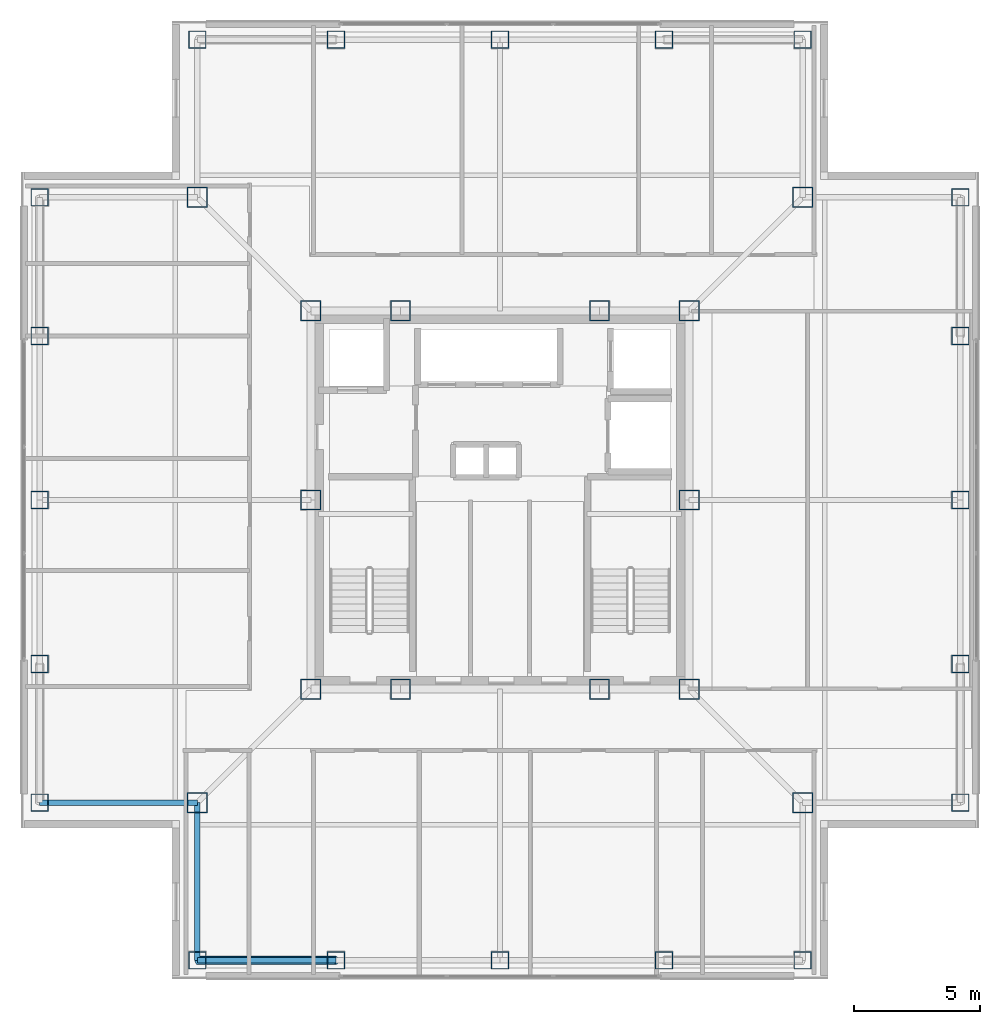
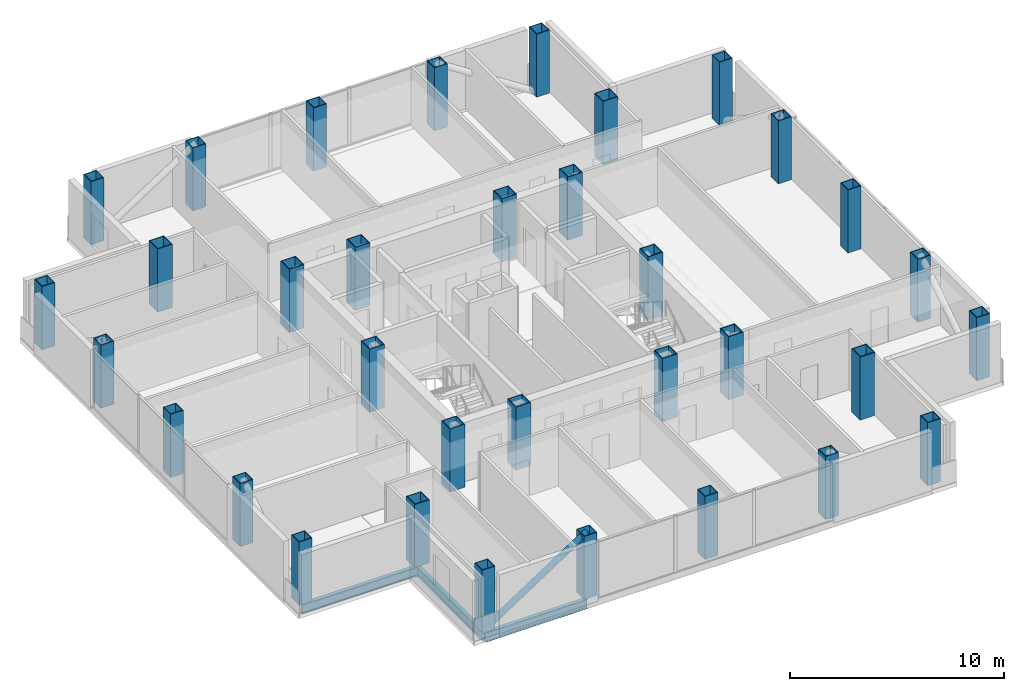
# One storey, part 1 of 16: 34 columns, 3 beams, 1 member.
"""IFC4 building model written with IfcOpenShell, lengths in metres."""

from ifc_helpers import new_model, si_unit, direction, frame, origin, origin_2d, place, context, subcontext, project, spatial, hollow_rectangle, hollow_circle, i_section, extrude, material, material_profile, profile_set, type_object, element, save


model = new_model("IFC4")

# Units and contexts
model_context = context("Model", 3, precision=1e-05, world=origin(), true_north=direction((0.0, 1.0)))
body_context = subcontext(model_context, "Body", "Model", "MODEL_VIEW")
ifc_project = project(units=[si_unit("LENGTHUNIT", "METRE"), si_unit("AREAUNIT", "SQUARE_METRE"), si_unit("VOLUMEUNIT", "CUBIC_METRE"), si_unit("PLANEANGLEUNIT", "RADIAN"), si_unit("MASSUNIT", "GRAM", prefix="KILO")], contexts=[model_context])

# Site, building, storey
site_placement = place(None, origin())
site = spatial("IfcSite", under=ifc_project, at=site_placement, CompositionType="ELEMENT")
building_placement = place(site_placement, origin())
building = spatial("IfcBuilding", under=site, at=building_placement, Name="Trevonay Congress Spire", CompositionType="ELEMENT")
storey_placement = place(building_placement, frame((0.0, 0.0, 236.0)))
storey = spatial("IfcBuildingStorey", under=building, at=storey_placement, Name="L61", CompositionType="ELEMENT", Elevation=236.0)

# Columns
ifc_material_1 = material(Name="Steel ASTM A572 Grade 50", Category="steel")
ifc_material_profile_1 = material_profile(ifc_material_1, hollow_rectangle(XDim=0.800048828125, YDim=0.800048828125, WallThickness=0.0400390625, at=origin_2d()), Name="BOX 800x800x40")
ifc_profile_set_1 = profile_set([ifc_material_profile_1], Name="Steel ASTM A572 Grade 50")
column_type_1 = type_object("IfcColumnType", Name="COL-CORE-BOX800", PredefinedType="COLUMN", material=ifc_profile_set_1)
for number, where, z_axis, x_axis, name in (
    (1, (-7.5, -7.5, 0.0), (0.0, 0.0, 1.0), (1.0, 0.0, 0.0), "L61 column C05 at CC-SW"),
    (2, (-3.949951171875, -7.5, 0.0), (0.0, 0.0, 1.0), (1.0, 0.0, 0.0), "L61 column C05 at CC-SMW"),
    (3, (3.949951171875, -7.5, 0.0), (0.0, 0.0, 1.0), (1.0, 0.0, 0.0), "L61 column C05 at CC-SME"),
    (4, (7.5, -7.5, 0.0), (0.0, 0.0, 1.0), (1.0, 0.0, 0.0), "L61 column C05 at CC-SE"),
    (5, (7.5, 0.0, 0.0), (0.0, 0.0, 1.0), (1.0, 0.0, 0.0), "L61 column C05 at CC-E"),
    (6, (7.5, 7.5, 0.0), (0.0, 0.0, 1.0), (1.0, 0.0, 0.0), "L61 column C05 at CC-NE"),
    (7, (3.949951171875, 7.5, 0.0), (0.0, 0.0, 1.0), (1.0, 0.0, 0.0), "L61 column C05 at CC-NME"),
    (8, (-3.949951171875, 7.5, 0.0), (0.0, 0.0, 1.0), (1.0, 0.0, 0.0), "L61 column C05 at CC-NMW"),
    (9, (-7.5, 7.5, 0.0), (0.0, 0.0, 1.0), (1.0, 0.0, 0.0), "L61 column C05 at CC-NW"),
    (10, (-7.5, 0.0, 0.0), (0.0, 0.0, 1.0), (1.0, 0.0, 0.0), "L61 column C05 at CC-W"),
):
    element("IfcColumn", number, at=place(storey_placement, frame(where, z_axis=z_axis, x_axis=x_axis)), inside=storey, type_object=column_type_1, Name=name, PredefinedType="COLUMN", context=body_context, shape_type="SweptSolid", body=[
        extrude(hollow_rectangle(XDim=0.800048828125, YDim=0.800048828125, WallThickness=0.0400390625, at=origin_2d()), origin(), (0.0, 0.0, 1.0), 3.60009765625),
    ])
ifc_material_profile_2 = material_profile(ifc_material_1, hollow_rectangle(XDim=0.699951171875, YDim=0.699951171875, WallThickness=0.034912109375, at=origin_2d()), Name="BOX 700x700x35")
ifc_profile_set_2 = profile_set([ifc_material_profile_2], Name="Steel ASTM A572 Grade 50")
column_type_2 = type_object("IfcColumnType", Name="COL-TUBE-BOX700", PredefinedType="COLUMN", material=ifc_profile_set_2)
for number, where, z_axis, x_axis, name in (
    (11, (-12.0, -18.25, 0.0), (0.0, 0.0, 1.0), (1.0, 0.0, 0.0), "L61 column C17 at TS-1"),
    (12, (-12.0, 18.25, 0.0), (0.0, 0.0, 1.0), (1.0, 0.0, 0.0), "L61 column C17 at TN-1"),
    (13, (-18.25, -12.0, 0.0), (0.0, 0.0, 1.0), (1.0, 0.0, 0.0), "L61 column C17 at TW-1"),
    (14, (18.25, -12.0, 0.0), (0.0, 0.0, 1.0), (1.0, 0.0, 0.0), "L61 column C17 at TE-1"),
    (15, (-6.5, -18.25, 0.0), (0.0, 0.0, 1.0), (1.0, 0.0, 0.0), "L61 column C17 at TS-2"),
    (16, (-6.5, 18.25, 0.0), (0.0, 0.0, 1.0), (1.0, 0.0, 0.0), "L61 column C17 at TN-2"),
    (17, (-18.25, -6.5, 0.0), (0.0, 0.0, 1.0), (1.0, 0.0, 0.0), "L61 column C17 at TW-2"),
    (18, (18.25, -6.5, 0.0), (0.0, 0.0, 1.0), (1.0, 0.0, 0.0), "L61 column C17 at TE-2"),
    (19, (0.0, -18.25, 0.0), (0.0, 0.0, 1.0), (1.0, 0.0, 0.0), "L61 column C17 at TS-3"),
    (20, (0.0, 18.25, 0.0), (0.0, 0.0, 1.0), (1.0, 0.0, 0.0), "L61 column C17 at TN-3"),
    (21, (-18.25, 0.0, 0.0), (0.0, 0.0, 1.0), (1.0, 0.0, 0.0), "L61 column C17 at TW-3"),
    (22, (18.25, 0.0, 0.0), (0.0, 0.0, 1.0), (1.0, 0.0, 0.0), "L61 column C17 at TE-3"),
    (23, (6.5, -18.25, 0.0), (0.0, 0.0, 1.0), (1.0, 0.0, 0.0), "L61 column C17 at TS-4"),
    (24, (6.5, 18.25, 0.0), (0.0, 0.0, 1.0), (1.0, 0.0, 0.0), "L61 column C17 at TN-4"),
    (25, (-18.25, 6.5, 0.0), (0.0, 0.0, 1.0), (1.0, 0.0, 0.0), "L61 column C17 at TW-4"),
    (26, (18.25, 6.5, 0.0), (0.0, 0.0, 1.0), (1.0, 0.0, 0.0), "L61 column C17 at TE-4"),
    (27, (12.0, -18.25, 0.0), (0.0, 0.0, 1.0), (1.0, 0.0, 0.0), "L61 column C17 at TS-5"),
    (28, (12.0, 18.25, 0.0), (0.0, 0.0, 1.0), (1.0, 0.0, 0.0), "L61 column C17 at TN-5"),
    (29, (-18.25, 12.0, 0.0), (0.0, 0.0, 1.0), (1.0, 0.0, 0.0), "L61 column C17 at TW-5"),
    (30, (18.25, 12.0, 0.0), (0.0, 0.0, 1.0), (1.0, 0.0, 0.0), "L61 column C17 at TE-5"),
):
    element("IfcColumn", number, at=place(storey_placement, frame(where, z_axis=z_axis, x_axis=x_axis)), inside=storey, type_object=column_type_2, Name=name, PredefinedType="COLUMN", context=body_context, shape_type="SweptSolid", body=[
        extrude(hollow_rectangle(XDim=0.699951171875, YDim=0.699951171875, WallThickness=0.034912109375, at=origin_2d()), origin(), (0.0, 0.0, 1.0), 3.60009765625),
    ])
ifc_material_profile_3 = material_profile(ifc_material_1, hollow_rectangle(XDim=0.800048828125, YDim=0.800048828125, WallThickness=0.0400390625, at=origin_2d()), Name="BOX 800x800x40")
ifc_profile_set_3 = profile_set([ifc_material_profile_3], Name="Steel ASTM A572 Grade 50")
column_type_3 = type_object("IfcColumnType", Name="COL-TUBE-BOX800", PredefinedType="COLUMN", material=ifc_profile_set_3)
for number, where, z_axis, x_axis, name in (
    (31, (-12.0, -12.0, 0.0), (0.0, 0.0, 1.0), (1.0, 0.0, 0.0), "L61 column C16 at NC-SW"),
    (32, (12.0, -12.0, 0.0), (0.0, 0.0, 1.0), (1.0, 0.0, 0.0), "L61 column C16 at NC-SE"),
    (33, (12.0, 12.0, 0.0), (0.0, 0.0, 1.0), (1.0, 0.0, 0.0), "L61 column C16 at NC-NE"),
    (34, (-12.0, 12.0, 0.0), (0.0, 0.0, 1.0), (1.0, 0.0, 0.0), "L61 column C16 at NC-NW"),
):
    element("IfcColumn", number, at=place(storey_placement, frame(where, z_axis=z_axis, x_axis=x_axis)), inside=storey, type_object=column_type_3, Name=name, PredefinedType="COLUMN", context=body_context, shape_type="SweptSolid", body=[
        extrude(hollow_rectangle(XDim=0.800048828125, YDim=0.800048828125, WallThickness=0.0400390625, at=origin_2d()), origin(), (0.0, 0.0, 1.0), 3.60009765625),
    ])

# Beams
ifc_material_profile_4 = material_profile(ifc_material_1, i_section(OverallWidth=0.208984375, OverallDepth=0.532958984375, WebThickness=0.01025390625, FlangeThickness=0.015625, FilletRadius=0.014892578125, at=origin_2d()), Name="W530x92")
ifc_profile_set_4 = profile_set([ifc_material_profile_4], Name="Steel ASTM A572 Grade 50")
beam_type = type_object("IfcBeamType", Name="BM-RING-W530X92", PredefinedType="BEAM", material=ifc_profile_set_4)
beam_placement = place(storey_placement, frame((-12.0, -18.25, -0.506591796875), z_axis=(1.0, 0.0, 0.0), x_axis=(0.0, 1.0, 0.0)))
element("IfcBeam", 35, at=beam_placement, inside=storey, type_object=beam_type, Name="L61 structural beam BM-L61-PS1", PredefinedType="BEAM", context=body_context, shape_type="SweptSolid", body=[
    extrude(i_section(OverallWidth=0.208984375, OverallDepth=0.532958984375, WebThickness=0.01025390625, FlangeThickness=0.015625, FilletRadius=0.014892578125, at=origin_2d()), origin(), (0.0, 0.0, 1.0), 5.5),
])
for number, where, z_axis, x_axis, name in (
    (36, (-12.0, -18.25, -0.506591796875), (0.0, 1.0, 0.0), (-1.0, 0.0, 0.0), "L61 structural beam BM-L61-N1SW"),
    (37, (-18.25, -12.0, -0.506591796875), (1.0, 0.0, 0.0), (0.0, 1.0, 0.0), "L61 structural beam BM-L61-N2SW"),
):
    element("IfcBeam", number, at=place(storey_placement, frame(where, z_axis=z_axis, x_axis=x_axis)), inside=storey, type_object=beam_type, Name=name, PredefinedType="BEAM", context=body_context, shape_type="SweptSolid", body=[
        extrude(i_section(OverallWidth=0.208984375, OverallDepth=0.532958984375, WebThickness=0.01025390625, FlangeThickness=0.015625, FilletRadius=0.014892578125, at=origin_2d()), origin(), (0.0, 0.0, 1.0), 6.25),
    ])

# Member
ifc_material_2 = material(Name="Steel ASTM A500 Grade C", Category="steel")
ifc_material_profile_5 = material_profile(ifc_material_2, hollow_circle(Radius=0.161865234375, WallThickness=0.01611328125, at=origin_2d()), Name="CHS 323.9x16")
ifc_profile_set_5 = profile_set([ifc_material_profile_5], Name="Steel ASTM A500 Grade C")
member_type = type_object("IfcMemberType", Name="MBR-TUBE-CHS324", PredefinedType="BRACE", material=ifc_profile_set_5)
member_placement = place(storey_placement, frame((-12.0, -18.25, -0.050048828125), z_axis=(0.836694709366, 0.0, 0.547669574943), x_axis=(0.0, 1.0, 0.0)))
element("IfcMember", 38, at=member_placement, inside=storey, type_object=member_type, Name="L61 perimeter braced-tube diagonal S0", PredefinedType="BRACE", context=body_context, shape_type="SweptSolid", body=[
    extrude(hollow_circle(Radius=0.161865234375, WallThickness=0.01611328125, at=origin_2d()), origin(), (0.0, 0.0, 1.0), 6.573486328125),
])

save(model, "model.ifc")
